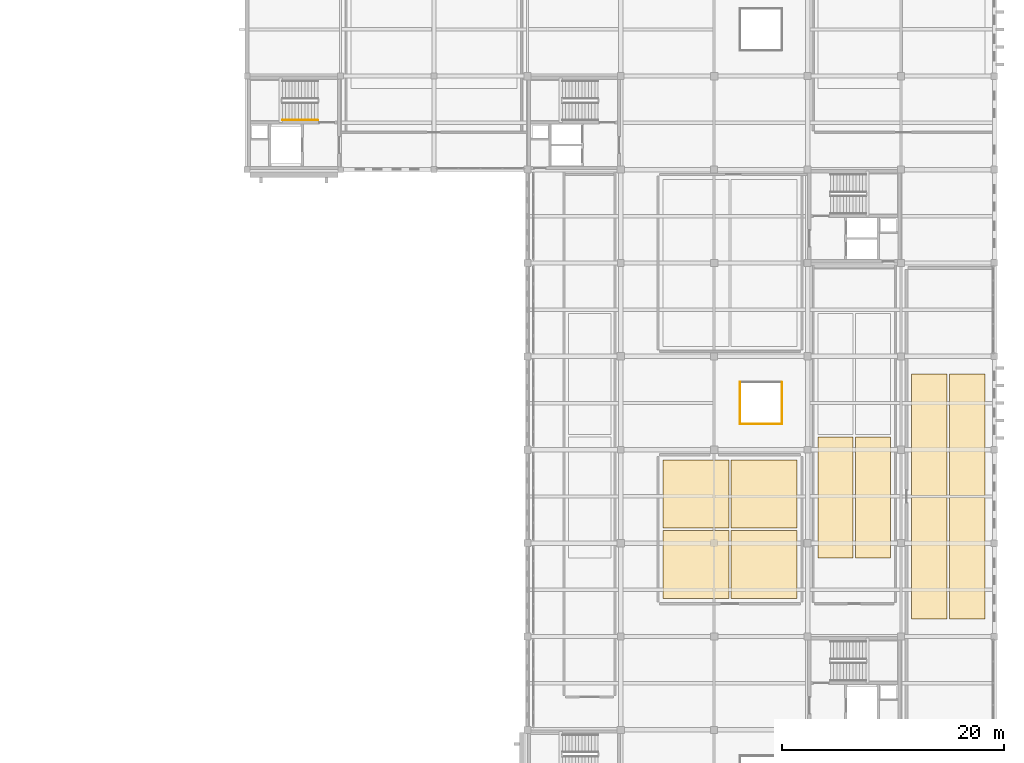
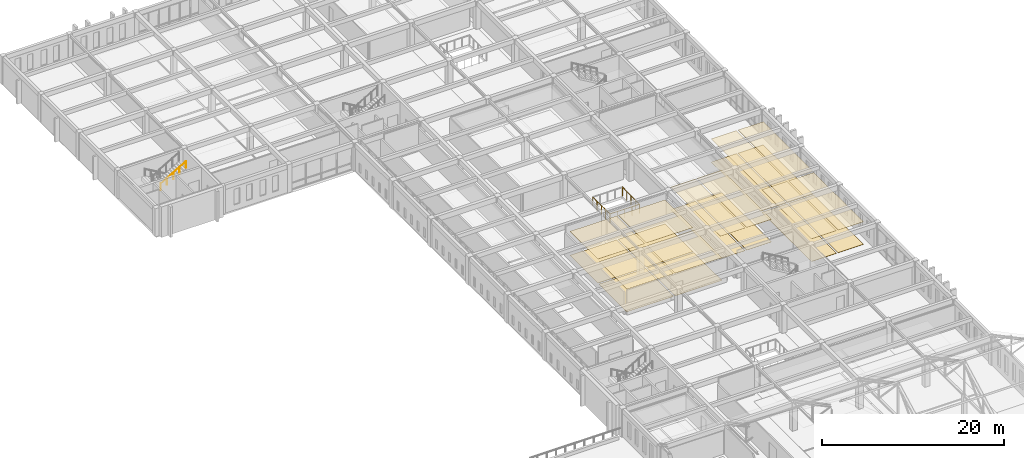
# One storey, part 44 of 47: 20 coverings, 4 railings.
"""IFC4 building model written with IfcOpenShell, lengths in metres."""

from ifc_helpers import new_model, si_unit, direction, frame, origin, origin_2d, place, context, subcontext, project, spatial, rectangle, circle, extrude, material, layer, layer_set, type_object, element, save


model = new_model("IFC4")

# Units and contexts
model_context = context("Model", 3, precision=1e-05, world=origin(), true_north=direction((0.0, 1.0)))
body_context = subcontext(model_context, "Body", "Model", "MODEL_VIEW")
ifc_project = project(units=[si_unit("LENGTHUNIT", "METRE"), si_unit("AREAUNIT", "SQUARE_METRE"), si_unit("VOLUMEUNIT", "CUBIC_METRE"), si_unit("PLANEANGLEUNIT", "RADIAN"), si_unit("MASSUNIT", "GRAM", prefix="KILO")], contexts=[model_context])

# Site, building, storey
site_placement = place(None, origin())
site = spatial("IfcSite", under=ifc_project, at=site_placement, CompositionType="ELEMENT")
building_placement = place(site_placement, origin())
building = spatial("IfcBuilding", under=site, at=building_placement, Name="Kveldsbrygga Polytechnic", CompositionType="ELEMENT")
storey_placement = place(building_placement, frame((0.0, 0.0, 13.93994140625)))
storey = spatial("IfcBuildingStorey", under=building, at=storey_placement, Name="L03", CompositionType="ELEMENT", Elevation=13.93994140625)

# Coverings
ifc_material_1 = material(Name="Acoustic mineral baffle ceiling")
ifc_layer_1 = layer(ifc_material_1, 0.030029296875)
ifc_layer_set_1 = layer_set([ifc_layer_1], Name="Acoustic mineral baffle ceiling")
covering_type_1 = type_object("IfcCoveringType", Name="COV-CEIL-AC30", PredefinedType="CEILING", material=ifc_layer_set_1)
for number, where, z_axis, x_axis, name in (
    (1, (162.14990234375, 49.050048828125, 3.02001953125), (0.0, 0.0, 1.0), (1.0, 0.0, 0.0), "Acoustic Ceiling SP-L03-STK1-WS"),
    (2, (162.14990234375, 60.14990234375, 3.10009765625), (0.0, 0.0, 1.0), (1.0, 0.0, 0.0), "Acoustic Ceiling SP-L03-STK1-WN"),
    (3, (165.550048828125, 49.050048828125, 3.02001953125), (0.0, 0.0, 1.0), (1.0, 0.0, 0.0), "Acoustic Ceiling SP-L03-STK1-ES"),
    (4, (165.550048828125, 60.14990234375, 3.10009765625), (0.0, 0.0, 1.0), (1.0, 0.0, 0.0), "Acoustic Ceiling SP-L03-STK1-EN"),
):
    element("IfcCovering", number, at=place(storey_placement, frame(where, z_axis=z_axis, x_axis=x_axis)), inside=storey, type_object=covering_type_1, Name=name, PredefinedType="CEILING", context=body_context, shape_type="SweptSolid", body=[
        extrude(rectangle(XDim=3.199951171875, YDim=10.89990234375, at=origin_2d()), origin(), (0.0, 0.0, 1.0), 0.030029296875),
    ])
for number, where, z_axis, x_axis, name in (
    (5, (141.16259765625, 48.47509765625, 3.02001953125), (0.0, 0.0, 1.0), (1.0, 0.0, 0.0), "Acoustic Ceiling SP-L03-LAB31-WS"),
    (6, (141.16259765625, 54.824951171875, 3.2001953125), (0.0, 0.0, 1.0), (1.0, 0.0, 0.0), "Acoustic Ceiling SP-L03-LAB31-WN"),
    (7, (147.28759765625, 48.47509765625, 3.02001953125), (0.0, 0.0, 1.0), (1.0, 0.0, 0.0), "Acoustic Ceiling SP-L03-LAB31-ES"),
    (8, (147.28759765625, 54.824951171875, 3.22021484375), (0.0, 0.0, 1.0), (1.0, 0.0, 0.0), "Acoustic Ceiling SP-L03-LAB31-EN"),
):
    element("IfcCovering", number, at=place(storey_placement, frame(where, z_axis=z_axis, x_axis=x_axis)), inside=storey, type_object=covering_type_1, Name=name, PredefinedType="CEILING", context=body_context, shape_type="SweptSolid", body=[
        extrude(rectangle(XDim=5.925048828125, YDim=6.14990234375, at=origin_2d()), origin(), (0.0, 0.0, 1.0), 0.030029296875),
    ])
for number, where, z_axis, x_axis, name in (
    (9, (153.72509765625, 54.5, 3.02001953125), (0.0, 0.0, 1.0), (1.0, 0.0, 0.0), "Acoustic Ceiling SP-L03-OFF31-WS"),
    (10, (157.074951171875, 54.5, 3.02001953125), (0.0, 0.0, 1.0), (1.0, 0.0, 0.0), "Acoustic Ceiling SP-L03-OFF31-ES"),
):
    element("IfcCovering", number, at=place(storey_placement, frame(where, z_axis=z_axis, x_axis=x_axis)), inside=storey, type_object=covering_type_1, Name=name, PredefinedType="CEILING", context=body_context, shape_type="SweptSolid", body=[
        extrude(rectangle(XDim=3.14990234375, YDim=10.89990234375, at=origin_2d()), origin(), (0.0, 0.0, 1.0), 0.030029296875),
    ])
ifc_material_2 = material(Name="Heavy-duty quartz-filled epoxy resin flooring")
ifc_layer_2 = layer(ifc_material_2, 0.014892578125)
ifc_layer_set_2 = layer_set([ifc_layer_2], Name="Heavy-duty quartz-filled epoxy resin flooring")
covering_type_2 = type_object("IfcCoveringType", Name="COV-FLR-EPX15", PredefinedType="FLOORING", material=ifc_layer_set_2)
for number, where, z_axis, x_axis, name in (
    (11, (141.16259765625, 48.47509765625, 0.0), (0.0, 0.0, 1.0), (1.0, 0.0, 0.0), "Room Flooring SP-L03-LAB31-WS"),
    (12, (141.16259765625, 54.824951171875, 0.0), (0.0, 0.0, 1.0), (1.0, 0.0, 0.0), "Room Flooring SP-L03-LAB31-WN"),
    (13, (147.28759765625, 48.47509765625, 0.0), (0.0, 0.0, 1.0), (1.0, 0.0, 0.0), "Room Flooring SP-L03-LAB31-ES"),
    (14, (147.28759765625, 54.824951171875, 0.0), (0.0, 0.0, 1.0), (1.0, 0.0, 0.0), "Room Flooring SP-L03-LAB31-EN"),
):
    element("IfcCovering", number, at=place(storey_placement, frame(where, z_axis=z_axis, x_axis=x_axis)), inside=storey, type_object=covering_type_2, Name=name, PredefinedType="FLOORING", context=body_context, shape_type="SweptSolid", body=[
        extrude(rectangle(XDim=5.925048828125, YDim=6.14990234375, at=origin_2d()), origin(), (0.0, 0.0, 1.0), 0.014892578125),
    ])
ifc_material_3 = material(Name="Acoustic oak timber flooring", Category="wood")
ifc_layer_3 = layer(ifc_material_3, 0.02197265625)
ifc_layer_set_3 = layer_set([ifc_layer_3], Name="Acoustic oak timber flooring")
covering_type_3 = type_object("IfcCoveringType", Name="COV-FLR-OAK22", PredefinedType="FLOORING", material=ifc_layer_set_3)
for number, where, z_axis, x_axis, name in (
    (15, (162.14990234375, 49.050048828125, 0.0), (0.0, 0.0, 1.0), (1.0, 0.0, 0.0), "Room Flooring SP-L03-STK1-WS"),
    (16, (162.14990234375, 60.14990234375, 0.0), (0.0, 0.0, 1.0), (1.0, 0.0, 0.0), "Room Flooring SP-L03-STK1-WN"),
    (17, (165.550048828125, 49.050048828125, 0.0), (0.0, 0.0, 1.0), (1.0, 0.0, 0.0), "Room Flooring SP-L03-STK1-ES"),
    (18, (165.550048828125, 60.14990234375, 0.0), (0.0, 0.0, 1.0), (1.0, 0.0, 0.0), "Room Flooring SP-L03-STK1-EN"),
):
    element("IfcCovering", number, at=place(storey_placement, frame(where, z_axis=z_axis, x_axis=x_axis)), inside=storey, type_object=covering_type_3, Name=name, PredefinedType="FLOORING", context=body_context, shape_type="SweptSolid", body=[
        extrude(rectangle(XDim=3.199951171875, YDim=10.89990234375, at=origin_2d()), origin(), (0.0, 0.0, 1.0), 0.02197265625),
    ])
for number, where, z_axis, x_axis, name in (
    (19, (153.72509765625, 54.5, 0.0), (0.0, 0.0, 1.0), (1.0, 0.0, 0.0), "Room Flooring SP-L03-OFF31-WS"),
    (20, (157.074951171875, 54.5, 0.0), (0.0, 0.0, 1.0), (1.0, 0.0, 0.0), "Room Flooring SP-L03-OFF31-ES"),
):
    element("IfcCovering", number, at=place(storey_placement, frame(where, z_axis=z_axis, x_axis=x_axis)), inside=storey, type_object=covering_type_3, Name=name, PredefinedType="FLOORING", context=body_context, shape_type="SweptSolid", body=[
        extrude(rectangle(XDim=3.14990234375, YDim=10.89990234375, at=origin_2d()), origin(), (0.0, 0.0, 1.0), 0.02197265625),
    ])

# Railings
ifc_material_4 = material(Name="Steel S355", Category="steel")
railing_type_1 = type_object("IfcRailingType", Name="RL-STAIR-HND", PredefinedType="HANDRAIL", material=ifc_material_4)
railing_1_placement = place(storey_placement, frame((103.9599609375, 88.449951171875, 2.2099609375)))
element("IfcRailing", 21, at=railing_1_placement, inside=storey, type_object=railing_type_1, Name="L03 ST-5 stair handrail 2", PredefinedType="HANDRAIL", context=body_context, shape_type="SweptSolid", body=[
    extrude(circle(Radius=0.02392578125, at=origin_2d()), frame((0.0, 0.0, 0.8759765625), z_axis=(0.862680090275, 0.0, 0.50574999935), x_axis=(0.0, 1.0, 0.0)), (0.0, 0.0, 1.0), 3.69775390625),
    extrude(circle(Radius=0.02099609375, at=origin_2d()), origin(), (0.0, 0.0, 1.0), 0.847900390625),
    extrude(circle(Radius=0.02099609375, at=origin_2d()), frame((0.79736328125, 0.0, 0.467529296875)), (0.0, 0.0, 1.0), 0.847900390625),
    extrude(circle(Radius=0.02099609375, at=origin_2d()), frame((1.594970703125, 0.0, 0.93505859375)), (0.0, 0.0, 1.0), 0.847900390625),
    extrude(circle(Radius=0.02099609375, at=origin_2d()), frame((2.392578125, 0.0, 1.402587890625)), (0.0, 0.0, 1.0), 0.847900390625),
    extrude(circle(Radius=0.02099609375, at=origin_2d()), frame((3.18994140625, 0.0, 1.8701171875)), (0.0, 0.0, 1.0), 0.847900390625),
])
railing_type_2 = type_object("IfcRailingType", Name="RL-VOID-GRD", PredefinedType="GUARDRAIL", material=ifc_material_4)
railing_2_placement = place(storey_placement, frame((145.1201171875, 61.1201171875, 0.0)))
element("IfcRailing", 22, at=railing_2_placement, inside=storey, type_object=railing_type_2, Name="Atrium Well Guard GRD-L03-WELL-7-S", PredefinedType="GUARDRAIL", context=body_context, shape_type="SweptSolid", body=[
    extrude(circle(Radius=0.02392578125, at=origin_2d()), frame((0.0, 0.0, 1.17578125), z_axis=(1.0, 0.0, 0.0), x_axis=(0.0, 1.0, 0.0)), (0.0, 0.0, 1.0), 3.759765625),
    extrude(circle(Radius=0.02099609375, at=origin_2d()), origin(), (0.0, 0.0, 1.0), 1.14794921875),
    extrude(circle(Radius=0.02099609375, at=origin_2d()), frame((0.93994140625, 0.0, 0.0)), (0.0, 0.0, 1.0), 1.14794921875),
    extrude(circle(Radius=0.02099609375, at=origin_2d()), frame((1.8798828125, 0.0, 0.0)), (0.0, 0.0, 1.0), 1.14794921875),
    extrude(circle(Radius=0.02099609375, at=origin_2d()), frame((2.81982421875, 0.0, 0.0)), (0.0, 0.0, 1.0), 1.14794921875),
    extrude(circle(Radius=0.02099609375, at=origin_2d()), frame((3.759765625, 0.0, 0.0)), (0.0, 0.0, 1.0), 1.14794921875),
])
railing_3_placement = place(storey_placement, frame((148.8798828125, 61.1201171875, 0.0)))
element("IfcRailing", 23, at=railing_3_placement, inside=storey, type_object=railing_type_2, Name="Atrium Well Guard GRD-L03-WELL-7-E", PredefinedType="GUARDRAIL", context=body_context, shape_type="SweptSolid", body=[
    extrude(circle(Radius=0.02392578125, at=origin_2d()), frame((0.0, 0.0, 1.17578125), z_axis=(0.0, 1.0, 0.0), x_axis=(-1.0, 0.0, 0.0)), (0.0, 0.0, 1.0), 3.759765625),
    extrude(circle(Radius=0.02099609375, at=origin_2d()), origin(), (0.0, 0.0, 1.0), 1.14794921875),
    extrude(circle(Radius=0.02099609375, at=origin_2d()), frame((0.0, 0.93994140625, 0.0)), (0.0, 0.0, 1.0), 1.14794921875),
    extrude(circle(Radius=0.02099609375, at=origin_2d()), frame((0.0, 1.8798828125, 0.0)), (0.0, 0.0, 1.0), 1.14794921875),
    extrude(circle(Radius=0.02099609375, at=origin_2d()), frame((0.0, 2.81982421875, 0.0)), (0.0, 0.0, 1.0), 1.14794921875),
    extrude(circle(Radius=0.02099609375, at=origin_2d()), frame((0.0, 3.759765625, 0.0)), (0.0, 0.0, 1.0), 1.14794921875),
])
railing_4_placement = place(storey_placement, frame((145.1201171875, 64.8798828125, 0.0)))
element("IfcRailing", 24, at=railing_4_placement, inside=storey, type_object=railing_type_2, Name="Atrium Well Guard GRD-L03-WELL-7-W", PredefinedType="GUARDRAIL", context=body_context, shape_type="SweptSolid", body=[
    extrude(circle(Radius=0.02392578125, at=origin_2d()), frame((0.0, 0.0, 1.17578125), z_axis=(0.0, -1.0, 0.0), x_axis=(1.0, 0.0, 0.0)), (0.0, 0.0, 1.0), 3.759765625),
    extrude(circle(Radius=0.02099609375, at=origin_2d()), origin(), (0.0, 0.0, 1.0), 1.14794921875),
    extrude(circle(Radius=0.02099609375, at=origin_2d()), frame((0.0, -0.93994140625, 0.0)), (0.0, 0.0, 1.0), 1.14794921875),
    extrude(circle(Radius=0.02099609375, at=origin_2d()), frame((0.0, -1.8798828125, 0.0)), (0.0, 0.0, 1.0), 1.14794921875),
    extrude(circle(Radius=0.02099609375, at=origin_2d()), frame((0.0, -2.81982421875, 0.0)), (0.0, 0.0, 1.0), 1.14794921875),
    extrude(circle(Radius=0.02099609375, at=origin_2d()), frame((0.0, -3.759765625, 0.0)), (0.0, 0.0, 1.0), 1.14794921875),
])

save(model, "model.ifc")
